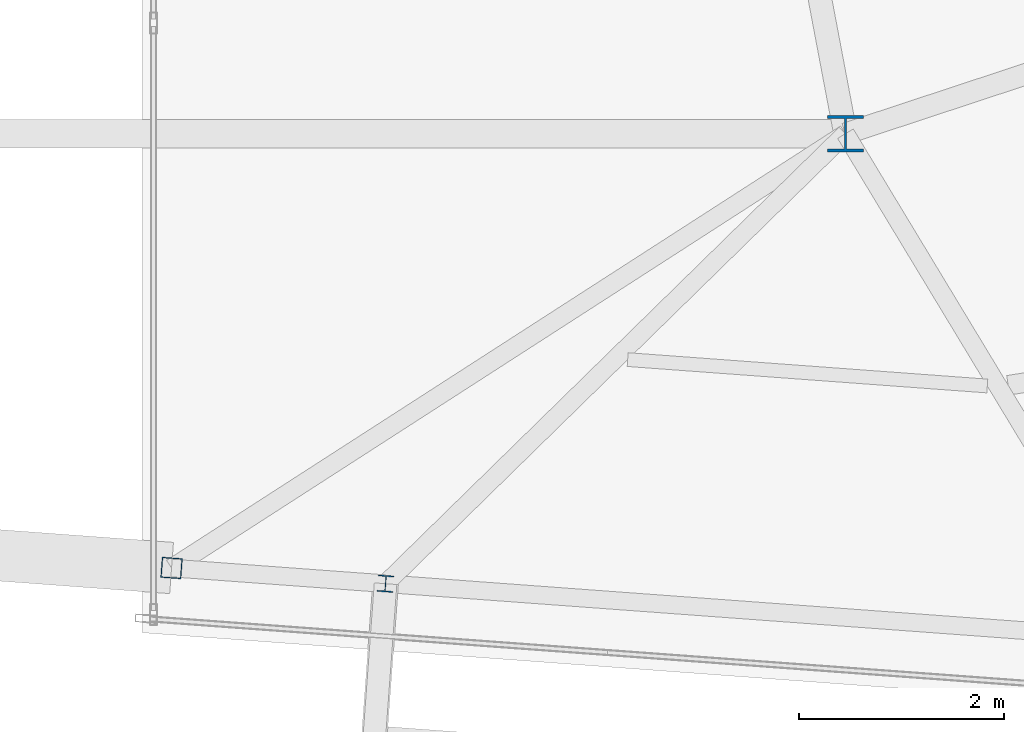
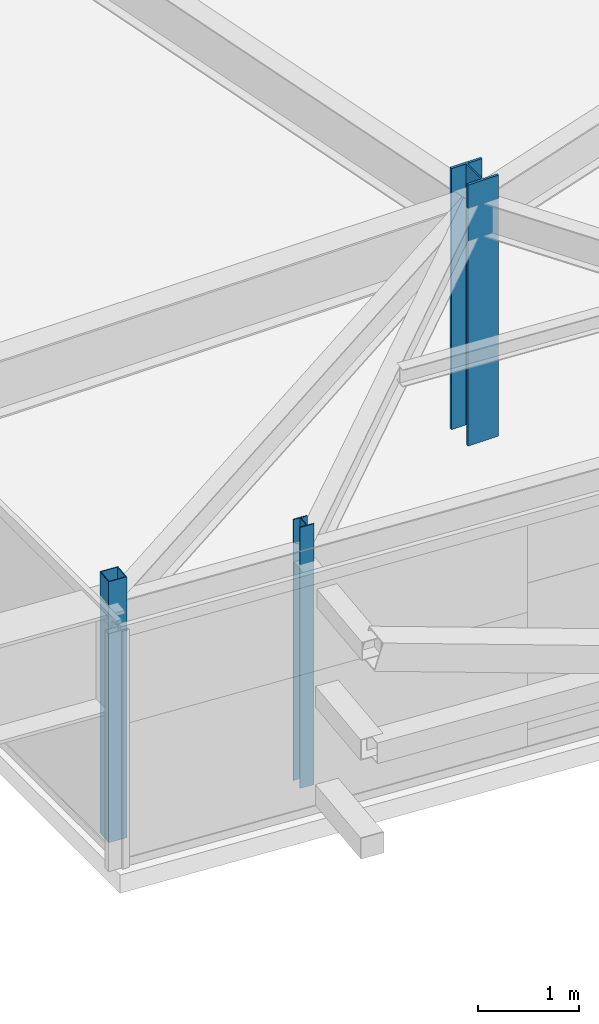
# One storey, part 2 of 40: 3 columns.
"""IFC4 building model written with IfcOpenShell, lengths in metres."""

from ifc_helpers import new_model, si_unit, direction, frame, origin, origin_2d, place, context, subcontext, project, spatial, hollow_rectangle, i_section, extrude, source, transform, mapped, material, material_profile, profile_set, type_object, element, save


model = new_model("IFC4")

# Units and contexts
model_context = context("Model", 3, precision=1e-05, world=origin(), true_north=direction((0.0, 1.0)))
body_context = subcontext(model_context, "Body", "Model", "MODEL_VIEW")
ifc_project = project(units=[si_unit("LENGTHUNIT", "METRE"), si_unit("AREAUNIT", "SQUARE_METRE"), si_unit("VOLUMEUNIT", "CUBIC_METRE"), si_unit("PLANEANGLEUNIT", "RADIAN"), si_unit("MASSUNIT", "GRAM", prefix="KILO")], contexts=[model_context])

# Site, building, storey
site_placement = place(None, origin())
site = spatial("IfcSite", under=ifc_project, at=site_placement, CompositionType="ELEMENT")
building_placement = place(site_placement, origin())
building = spatial("IfcBuilding", under=site, at=building_placement, Name="Taldren Reach Tower", CompositionType="ELEMENT")
storey_placement = place(building_placement, frame((0.0, 0.0, 233.449951171875)))
storey = spatial("IfcBuildingStorey", under=building, at=storey_placement, Name="L71", CompositionType="ELEMENT", Elevation=233.449951171875)

# Columns
ifc_material_1 = material(Name="Steel Gr 350 (350PLUS)", Category="steel")
ifc_material_profile_1 = material_profile(ifc_material_1, i_section(OverallWidth=0.35009765625, OverallDepth=0.35595703125, WebThickness=0.01806640625, FlangeThickness=0.028076171875, at=origin_2d()), Name="350WC197")
ifc_profile_set_1 = profile_set([ifc_material_profile_1], Name="Steel Gr 350 (350PLUS)")
column_type_1 = type_object("IfcColumnType", Name="COL-WC350", PredefinedType="COLUMN", material=ifc_profile_set_1)
shared_shape_1 = source(origin(), body_context, "Body", "SweptSolid", [
    extrude(i_section(OverallWidth=0.35009765625, OverallDepth=0.35595703125, WebThickness=0.01806640625, FlangeThickness=0.028076171875, at=origin_2d()), origin(), (0.0, 0.0, 1.0), 3.150146484375),
])
column_1_placement = place(storey_placement, frame((42.0, 9.199951171875, 0.0), z_axis=(0.0, 0.0, 1.0), x_axis=(1.0, 0.0, 0.0)))
element("IfcColumn", 1, at=column_1_placement, inside=storey, type_object=column_type_1, Name="Mega column MC-PJE L71", PredefinedType="COLUMN", context=body_context, shape_type="MappedRepresentation", body=[
    mapped(shared_shape_1, transform((0.0, 0.0, 0.0), scale=1.0)),
])
ifc_material_2 = material(Name="Steel Gr 350 (C350L0)", Category="steel")
ifc_material_profile_2 = material_profile(ifc_material_2, hollow_rectangle(XDim=0.199951171875, YDim=0.199951171875, WallThickness=0.009033203125, at=origin_2d()), Name="200x200x9.0SHS")
ifc_profile_set_2 = profile_set([ifc_material_profile_2], Name="Steel Gr 350 (C350L0)")
column_type_2 = type_object("IfcColumnType", Name="COL-SHS200", PredefinedType="COLUMN", material=ifc_profile_set_2)
shared_shape_2 = source(origin(), body_context, "Body", "SweptSolid", [
    extrude(hollow_rectangle(XDim=0.199951171875, YDim=0.199951171875, WallThickness=0.009033203125, at=origin_2d()), origin(), (0.0, 0.0, 1.0), 3.150146484375),
])
column_2_placement = place(storey_placement, frame((35.43603515625, 4.9697265625, 0.0), z_axis=(0.0, 0.0, 1.0), x_axis=(0.997314477224, -0.073238197128, 0.0)))
element("IfcColumn", 2, at=column_2_placement, inside=storey, type_object=column_type_2, Name="Block B5 perimeter column PJ2 L71", PredefinedType="COLUMN", context=body_context, shape_type="MappedRepresentation", body=[
    mapped(shared_shape_2, transform((0.0, 0.0, 0.0), scale=1.0)),
])
ifc_material_profile_3 = material_profile(ifc_material_1, i_section(OverallWidth=0.154052734375, OverallDepth=0.162109375, WebThickness=0.008056640625, FlangeThickness=0.011474609375, at=origin_2d()), Name="150UC37.2")
ifc_profile_set_3 = profile_set([ifc_material_profile_3], Name="Steel Gr 350 (350PLUS)")
column_type_3 = type_object("IfcColumnType", Name="COL-UC150", PredefinedType="COLUMN", material=ifc_profile_set_3)
shared_shape_3 = source(origin(), body_context, "Body", "SweptSolid", [
    extrude(i_section(OverallWidth=0.154052734375, OverallDepth=0.162109375, WebThickness=0.008056640625, FlangeThickness=0.011474609375, at=origin_2d()), origin(), (0.0, 0.0, 1.0), 3.150146484375),
])
column_3_placement = place(storey_placement, frame((37.5205078125, 4.81689453125, 0.0), z_axis=(0.0, 0.0, 1.0), x_axis=(0.997314477224, -0.073238197128, 0.0)))
element("IfcColumn", 3, at=column_3_placement, inside=storey, type_object=column_type_3, Name="Block B5 perimeter column S4 L71", PredefinedType="COLUMN", context=body_context, shape_type="MappedRepresentation", body=[
    mapped(shared_shape_3, transform((0.0, 0.0, 0.0), scale=1.0)),
])

save(model, "model.ifc")
